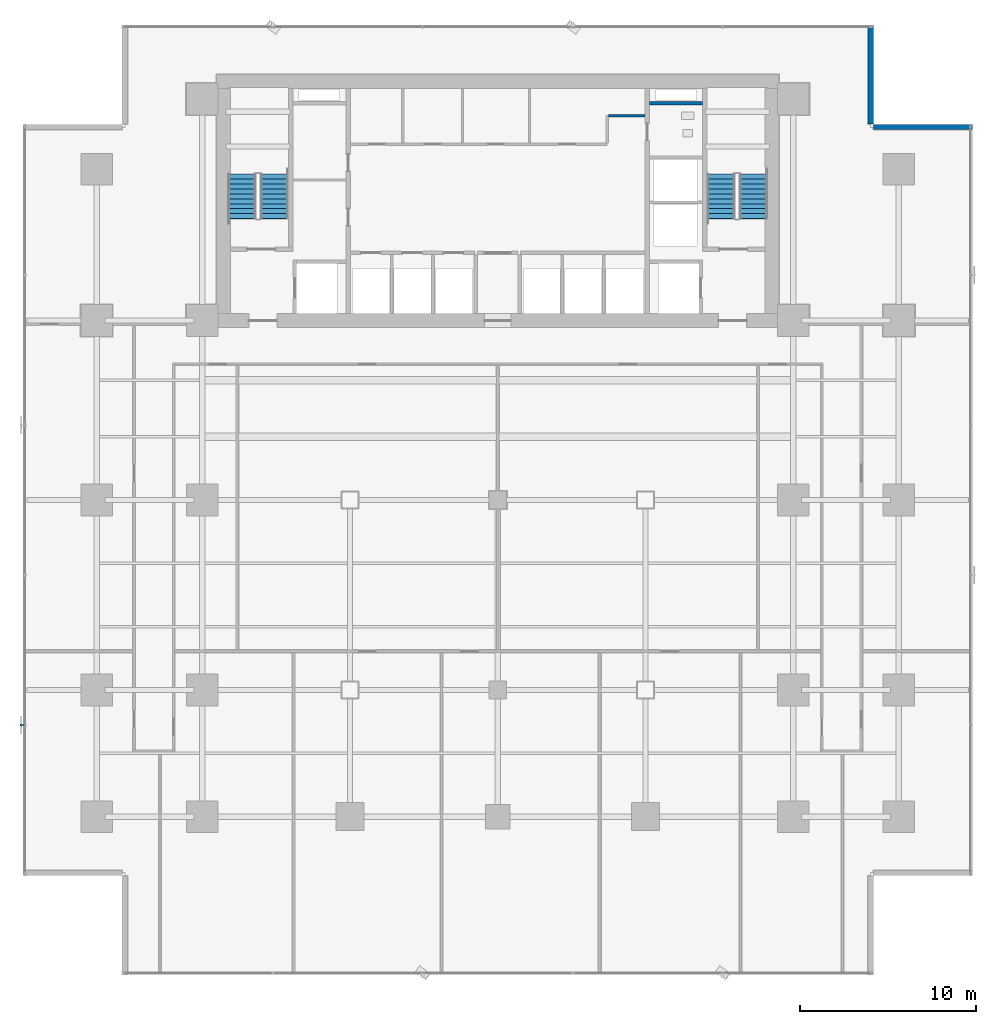
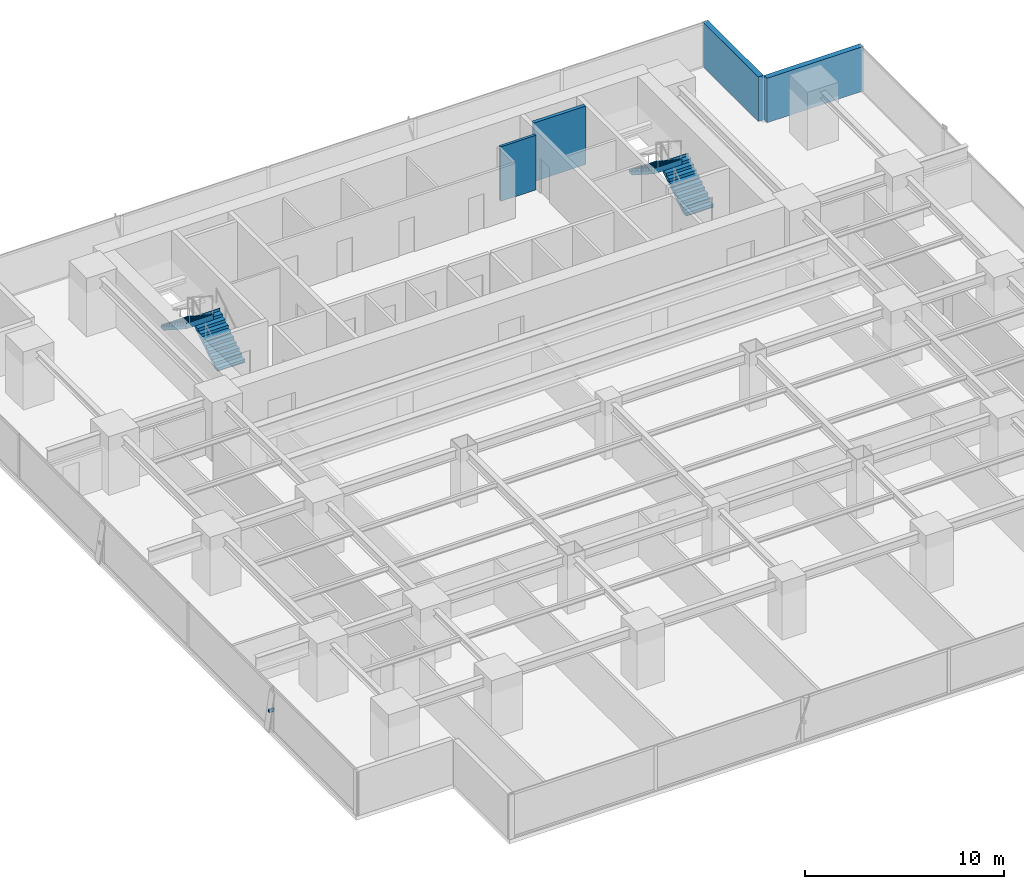
# One storey, part 27 of 34: 4 stair flights, 4 walls, 1 discrete accessory, 2 elements without a shape of their own.
"""IFC4 building model written with IfcOpenShell, lengths in metres."""

import ifcopenshell
import ifcopenshell.guid

model = None  # the IFC model being written
_history = None  # IfcOwnerHistory: only IFC2X3 demands one
_inside = {}  # id of a spatial element -> (the spatial element, [elements in it])
_under = {}  # id of a project, library or spatial element -> (it, [spatial elements below it])
_declared = {}  # id of a project -> (the project, [libraries it declares])
_typed = {}  # id of a type object -> (the type object, [elements of that type])
_made_of = {}  # id of a material, layer set ... -> (it, [elements and type objects made of it])


def new_model(schema):
    """Start an empty IFC model of exactly this schema.

    Asked for "IFC4X3", IfcOpenShell would pick the latest addendum, in which some entities
    have other attributes; the version numbers below select the first issue.
    IFC2X3 requires an IfcOwnerHistory on every rooted entity: one is made here for all.
    """
    global model, _history
    if schema == "IFC4X3":
        model = ifcopenshell.file(schema_version=(4, 3, 0, 0))
    else:
        model = ifcopenshell.file(schema=schema)
    _inside.clear()
    _under.clear()
    _declared.clear()
    _typed.clear()
    _made_of.clear()
    _history = None
    if model.schema == "IFC2X3":
        org = make("IfcOrganization", Name="unknown")
        user = make(
            "IfcPersonAndOrganization",
            ThePerson=make("IfcPerson", FamilyName="unknown"),
            TheOrganization=org,
        )
        app = make(
            "IfcApplication",
            ApplicationDeveloper=org,
            Version="unknown",
            ApplicationFullName="unknown",
            ApplicationIdentifier="unknown",
        )
        _history = make(
            "IfcOwnerHistory",
            OwningUser=user,
            OwningApplication=app,
            ChangeAction="ADDED",
            CreationDate=0,
        )
    return model


def make(cls, **values):
    """One entity of the class cls with the attributes given. An attribute that is None is left unset."""
    return model.create_entity(
        cls, **{name: value for name, value in values.items() if value is not None}
    )


def rooted(cls, **values):
    """An entity with a GlobalId (a new one), such as an element, a storey or a relation."""
    return make(cls, GlobalId=ifcopenshell.guid.new(), OwnerHistory=_history, **values)


def si_unit(unit_type, name, prefix=None):
    """IfcSIUnit, for example si_unit("LENGTHUNIT", "METRE", prefix="MILLI")."""
    return make("IfcSIUnit", UnitType=unit_type, Prefix=prefix, Name=name)


def assignment(units):
    """IfcUnitAssignment: the units of a project."""
    return None if units is None else make("IfcUnitAssignment", Units=units)


def point(xyz):
    """IfcCartesianPoint."""
    return None if xyz is None else make("IfcCartesianPoint", Coordinates=xyz)


def direction(xyz):
    """IfcDirection."""
    return None if xyz is None else make("IfcDirection", DirectionRatios=xyz)


def frame(location, z_axis=None, x_axis=None):
    """IfcAxis2Placement3D, a coordinate frame: its origin and axes. An axis left out is left unset."""
    return make(
        "IfcAxis2Placement3D",
        Location=point(location),
        Axis=direction(z_axis),
        RefDirection=direction(x_axis),
    )


def frame_2d(location, x_axis=None):
    """IfcAxis2Placement2D, a coordinate frame in the plane: its origin and x axis."""
    return make(
        "IfcAxis2Placement2D", Location=point(location), RefDirection=direction(x_axis)
    )


def origin():
    """The frame at (0, 0, 0) with its axes left unset."""
    return frame((0.0, 0.0, 0.0))


def origin_2d():
    """The frame at (0, 0) in the plane with its x axis left unset."""
    return frame_2d((0.0, 0.0))


def place(relative_to, where):
    """IfcLocalPlacement: puts the frame where relative to a parent placement (None: the world)."""
    return make(
        "IfcLocalPlacement", PlacementRelTo=relative_to, RelativePlacement=where
    )


def context(
    kind, dimensions, precision=None, world=None, true_north=None, identifier=None
):
    """IfcGeometricRepresentationContext, for example the 3D "Model" context."""
    return make(
        "IfcGeometricRepresentationContext",
        ContextIdentifier=identifier,
        ContextType=kind,
        CoordinateSpaceDimension=dimensions,
        Precision=precision,
        WorldCoordinateSystem=world,
        TrueNorth=true_north,
    )


def subcontext(parent, identifier, kind, view, scale=None):
    """IfcGeometricRepresentationSubContext, for example "Body" below "Model"."""
    return make(
        "IfcGeometricRepresentationSubContext",
        ContextIdentifier=identifier,
        ContextType=kind,
        ParentContext=parent,
        TargetScale=scale,
        TargetView=view,
    )


def project(units=None, contexts=None):
    """IfcProject with its units and contexts."""
    return rooted(
        "IfcProject",
        Name="project",
        RepresentationContexts=contexts,
        UnitsInContext=assignment(units),
    )


def spatial(cls, under=None, at=None, **own):
    """A site, building, storey or space (cls), placed at a placement, below another one or the project."""
    s = rooted(cls, ObjectPlacement=at, **own)
    if under is not None:
        _under.setdefault(under.id(), (under, []))[1].append(s)
    return s


def polyline(points):
    """IfcPolyline through the points."""
    return make("IfcPolyline", Points=[point(p) for p in points])


def profile(cls, at=None, kind="AREA", **sizes):
    """A parametric profile (cls). Its sizes go by their IFC names, for example OverallWidth=200.0."""
    return make(cls, ProfileType=kind, Position=at, **sizes)


def rectangle(**sizes):
    """IfcRectangleProfileDef."""
    return profile("IfcRectangleProfileDef", **sizes)


def outline(outer, holes=None, kind="AREA"):
    """IfcArbitraryClosedProfileDef: a profile drawn as a closed curve; with holes, ...WithVoids."""
    if holes is None:
        return make("IfcArbitraryClosedProfileDef", ProfileType=kind, OuterCurve=outer)
    return make(
        "IfcArbitraryProfileDefWithVoids",
        ProfileType=kind,
        OuterCurve=outer,
        InnerCurves=holes,
    )


def extrude(swept, where, along, depth):
    """IfcExtrudedAreaSolid: the profile swept, set in the frame where, extruded along a direction by depth."""
    return make(
        "IfcExtrudedAreaSolid",
        SweptArea=swept,
        Position=where,
        ExtrudedDirection=direction(along),
        Depth=depth,
    )


def shape(context_of_items, identifier, shape_type, items):
    """IfcShapeRepresentation: the items that make up one representation, for example the "Body"."""
    return make(
        "IfcShapeRepresentation",
        ContextOfItems=context_of_items,
        RepresentationIdentifier=identifier,
        RepresentationType=shape_type,
        Items=items,
    )


def source(mapping_origin, context_of_items, identifier, shape_type, items):
    """IfcRepresentationMap: a shape defined once, which mapped items show again and again."""
    return make(
        "IfcRepresentationMap",
        MappingOrigin=mapping_origin,
        MappedRepresentation=shape(context_of_items, identifier, shape_type, items),
    )


def transform(
    local_origin,
    x_axis=None,
    y_axis=None,
    z_axis=None,
    scale=None,
    scale2=None,
    scale3=None,
    uniform=True,
):
    """IfcCartesianTransformationOperator3D, or its non-uniform kind. x_axis, y_axis, z_axis: its Axis1, 2, 3."""
    if uniform:
        return make(
            "IfcCartesianTransformationOperator3D",
            Axis1=direction(x_axis),
            Axis2=direction(y_axis),
            LocalOrigin=point(local_origin),
            Scale=scale,
            Axis3=direction(z_axis),
        )
    return make(
        "IfcCartesianTransformationOperator3DnonUniform",
        Axis1=direction(x_axis),
        Axis2=direction(y_axis),
        LocalOrigin=point(local_origin),
        Scale=scale,
        Axis3=direction(z_axis),
        Scale2=scale2,
        Scale3=scale3,
    )


def mapped(mapping_source, mapping_target):
    """IfcMappedItem: shows the shape of a source again, moved by a transform."""
    return make(
        "IfcMappedItem", MappingSource=mapping_source, MappingTarget=mapping_target
    )


def material(Name=None, Category=None):
    """IfcMaterial."""
    return make("IfcMaterial", Name=Name, Category=Category)


def layer(
    of_material, thickness, ventilated=None, Name=None, Category=None, Priority=None
):
    """IfcMaterialLayer: one layer of a wall or slab, of a material (None: an air gap)."""
    return make(
        "IfcMaterialLayer",
        Material=of_material,
        LayerThickness=thickness,
        IsVentilated=ventilated,
        Name=Name,
        Category=Category,
        Priority=Priority,
    )


def layer_set(layers, Name=None):
    """IfcMaterialLayerSet."""
    return make("IfcMaterialLayerSet", MaterialLayers=layers, LayerSetName=Name)


def material_profile(
    of_material, cross_section, Name=None, Category=None, Priority=None
):
    """IfcMaterialProfile: a cross section and its material."""
    return make(
        "IfcMaterialProfile",
        Name=Name,
        Material=of_material,
        Profile=cross_section,
        Priority=Priority,
        Category=Category,
    )


def profile_set(profiles, Name=None, composite=None):
    """IfcMaterialProfileSet."""
    return make(
        "IfcMaterialProfileSet",
        Name=Name,
        MaterialProfiles=profiles,
        CompositeProfile=composite,
    )


def made_of(thing, what):
    """Note that an element or type object is made of a material, layer set ...; save() writes the relation."""
    if what is not None:
        _made_of.setdefault(what.id(), (what, []))[1].append(thing)
    return thing


def type_object(cls, material=None, **own):
    """A type object (cls), such as IfcWallType, which elements share."""
    return made_of(rooted(cls, **own), material)


def element(
    cls,
    number,
    at=None,
    inside=None,
    cuts=None,
    type_object=None,
    material=None,
    context=None,
    identifier="Body",
    shape_type=None,
    held_by="IfcProductDefinitionShape",
    body=None,
    shapes=None,
    **own,
):
    """One element of the class cls, such as IfcWall. Its Tag is "e" and its number.

    at: its placement. inside: the storey or other place that contains it. cuts: it is an
    opening in that element (IfcRelVoidsElement). A single representation is given by context,
    identifier, shape_type and body (its items); several are given by shapes. held_by: the class
    of the entity that holds the representations. save() writes the other relations.
    """
    e = rooted(cls, Tag="e%d" % number, ObjectPlacement=at, **own)
    if body is not None:
        shapes = [shape(context, identifier, shape_type, body)]
    if shapes is not None:
        e.Representation = make(held_by, Representations=shapes)
    if inside is not None:
        _inside.setdefault(inside.id(), (inside, []))[1].append(e)
    if cuts is not None:
        rooted(
            "IfcRelVoidsElement", RelatingBuildingElement=cuts, RelatedOpeningElement=e
        )
    if type_object is not None:
        _typed.setdefault(type_object.id(), (type_object, []))[1].append(e)
    return made_of(e, material)


def aggregate(whole, parts):
    """IfcRelAggregates: a whole, such as a stair, and the parts it consists of."""
    return rooted("IfcRelAggregates", RelatingObject=whole, RelatedObjects=parts)


def save(model, path):
    """Write the relations noted so far, then the file.

    IfcRelAggregates (storeys below a building ...), IfcRelContainedInSpatialStructure (elements
    in a storey), IfcRelDefinesByType, IfcRelAssociatesMaterial and IfcRelDeclares: one each for
    every whole, place, type object, material and project.
    """
    for whole, parts in _under.values():
        aggregate(whole, parts)
    for where, things in _inside.values():
        rooted(
            "IfcRelContainedInSpatialStructure",
            RelatedElements=things,
            RelatingStructure=where,
        )
    for kind, things in _typed.values():
        rooted("IfcRelDefinesByType", RelatedObjects=things, RelatingType=kind)
    for what, things in _made_of.values():
        rooted("IfcRelAssociatesMaterial", RelatedObjects=things, RelatingMaterial=what)
    for by, libraries in _declared.values():
        rooted("IfcRelDeclares", RelatingContext=by, RelatedDefinitions=libraries)
    model.write(path)


model = new_model("IFC4")

# Units and contexts
model_context = context("Model", 3, precision=1e-05, world=origin(), true_north=direction((0.0, 1.0)))
body_context = subcontext(model_context, "Body", "Model", "MODEL_VIEW")
ifc_project = project(units=[si_unit("LENGTHUNIT", "METRE"), si_unit("AREAUNIT", "SQUARE_METRE"), si_unit("VOLUMEUNIT", "CUBIC_METRE"), si_unit("PLANEANGLEUNIT", "RADIAN"), si_unit("MASSUNIT", "GRAM", prefix="KILO")], contexts=[model_context])

# Site, building, storey
site_placement = place(None, origin())
site = spatial("IfcSite", under=ifc_project, at=site_placement, CompositionType="ELEMENT")
building_placement = place(site_placement, origin())
building = spatial("IfcBuilding", under=site, at=building_placement, Name="Sumidabori Civic Tower", CompositionType="ELEMENT")
storey_placement = place(building_placement, frame((0.0, 0.0, 34.39990234375)))
storey = spatial("IfcBuildingStorey", under=building, at=storey_placement, Name="L08", CompositionType="ELEMENT", Elevation=34.39990234375)

# Walls
ifc_material_1 = material(Name="Concrete C50/60", Category="concrete")
ifc_layer_1 = layer(ifc_material_1, 0.199951171875, Name="Concrete C50/60")
ifc_layer_set_1 = layer_set([ifc_layer_1], Name="Concrete C50/60")
wall_type_1 = type_object("IfcWallType", Name="WL-SHAFT-200", PredefinedType="SHEAR", material=ifc_layer_set_1)
shared_shape_1 = source(origin(), body_context, "Body", "SweptSolid", [
    extrude(rectangle(XDim=3.02001953125, YDim=0.199951171875, at=frame_2d((1.510009765625, 0.0))), origin(), (0.0, 0.0, 1.0), 3.60009765625),
])
wall_1_placement = place(storey_placement, frame((8.625, 22.550048828125, 0.0), z_axis=(0.0, 0.0, 1.0), x_axis=(1.0, 0.0, 0.0)))
element("IfcWall", 1, at=wall_1_placement, inside=storey, type_object=wall_type_1, Name="Core Shear Wall L08 RIS2-S", PredefinedType="SHEAR", context=body_context, shape_type="MappedRepresentation", body=[
    mapped(shared_shape_1, transform((0.0, 0.0, 0.0), x_axis=(1.0, 0.0, 0.0), y_axis=(0.0, 1.0, 0.0), z_axis=(0.0, 0.0, 1.0), scale=1.0)),
])
ifc_material_2 = material(Name="Precast concrete C40/50", Category="concrete")
ifc_layer_2 = layer(ifc_material_2, 0.300048828125, Name="Precast concrete C40/50")
ifc_layer_set_2 = layer_set([ifc_layer_2], Name="Precast concrete C40/50")
wall_type_2 = type_object("IfcWallType", Name="WL-EXT-POD300", PredefinedType="STANDARD", material=ifc_layer_set_2)
shared_shape_2 = source(origin(), body_context, "Body", "SweptSolid", [
    extrude(rectangle(XDim=5.60986328125, YDim=0.300048828125, at=frame_2d((2.804931640625, 0.0))), origin(), (0.0, 0.0, 1.0), 2.739990234375),
])
for number, where, z_axis, x_axis, name in (
    (2, (26.97998046875, 21.199951171875, 0.0), (0.0, 0.0, 1.0), (-1.0, 0.0, 0.0), "Notched Corner Spandrel Band L08-05"),
    (3, (21.199951171875, 21.3701171875, 0.0), (0.0, 0.0, 1.0), (0.0, 1.0, 0.0), "Notched Corner Spandrel Band L08-06"),
):
    element("IfcWall", number, at=place(storey_placement, frame(where, z_axis=z_axis, x_axis=x_axis)), inside=storey, type_object=wall_type_2, Name=name, PredefinedType="STANDARD", context=body_context, shape_type="MappedRepresentation", body=[
        mapped(shared_shape_2, transform((0.0, 0.0, 0.0), x_axis=(1.0, 0.0, 0.0), y_axis=(0.0, 1.0, 0.0), z_axis=(0.0, 0.0, 1.0), scale=1.0)),
    ])
ifc_material_3 = material(Name="Gypsum Plasterboard Acoustic Partition")
ifc_layer_3 = layer(ifc_material_3, 0.14990234375, Name="Gypsum Plasterboard Acoustic Partition")
ifc_layer_set_3 = layer_set([ifc_layer_3], Name="Gypsum Plasterboard Acoustic Partition")
wall_type_3 = type_object("IfcWallType", Name="WL-PART-150", PredefinedType="PARTITIONING", material=ifc_layer_set_3)
shared_shape_3 = source(origin(), body_context, "Body", "SweptSolid", [
    extrude(rectangle(XDim=2.070068359375, YDim=0.14990234375, at=frame_2d((1.03515625, 0.0))), origin(), (0.0, 0.0, 1.0), 3.360107421875),
])
wall_2_placement = place(storey_placement, frame((6.300048828125, 21.85009765625, 0.0), z_axis=(0.0, 0.0, 1.0), x_axis=(1.0, 0.0, 0.0)))
element("IfcWall", 4, at=wall_2_placement, inside=storey, type_object=wall_type_3, Name="Interior Partition WL:L08:CBAND-ME2", PredefinedType="PARTITIONING", context=body_context, shape_type="MappedRepresentation", body=[
    mapped(shared_shape_3, transform((0.0, 0.0, 0.0), x_axis=(1.0, 0.0, 0.0), y_axis=(0.0, 1.0, 0.0), z_axis=(0.0, 0.0, 1.0), scale=1.0)),
])

# Stair, stair flights
ifc_material_4 = material(Name="Concrete C40/50", Category="concrete")
stair_type = type_object("IfcStairType", Name="ST-CORE-1600", PredefinedType="HALF_TURN_STAIR", material=ifc_material_4)
stair_1_placement = place(storey_placement, origin())
stair_1 = element("IfcStair", 5, at=stair_1_placement, inside=storey, type_object=stair_type, Name="L08 ST-1", PredefinedType="HALF_TURN_STAIR")
stair_flight_type = type_object("IfcStairFlightType", Name="SF-CORE-1600", PredefinedType="STRAIGHT", material=ifc_material_4)
shared_shape_4 = source(origin(), body_context, "Body", "SweptSolid", [
    extrude(outline(polyline([(-0.02490234375, 0.0), (-0.02490234375, 0.0400390625), (0.0, 0.0400390625), (0.0, 0.179931640625), (0.280029296875, 0.179931640625), (0.280029296875, 0.360107421875), (0.56005859375, 0.360107421875), (0.56005859375, 0.5400390625), (0.840087890625, 0.5400390625), (0.840087890625, 0.719970703125), (1.1201171875, 0.719970703125), (1.1201171875, 0.89990234375), (1.39990234375, 0.89990234375), (1.39990234375, 1.080078125), (1.679931640625, 1.080078125), (1.679931640625, 1.260009765625), (1.9599609375, 1.260009765625), (1.9599609375, 1.43994140625), (2.239990234375, 1.43994140625), (2.239990234375, 1.6201171875), (2.52001953125, 1.6201171875), (2.52001953125, 1.800048828125), (2.544921875, 1.800048828125), (2.544921875, 1.650146484375), (2.52001953125, 1.44189453125), (0.277099609375, 0.0), (-0.02490234375, 0.0)])), frame((0.0, 0.800048828125, 0.0), z_axis=(0.0, -1.0, 0.0), x_axis=(1.0, 0.0, 0.0)), (0.0, 0.0, 1.0), 1.60009765625),
])
stair_flight_1_placement = place(storey_placement, frame((-12.699951171875, 16.0, 0.0), z_axis=(0.0, 0.0, 1.0), x_axis=(0.0, 1.0, 0.0)))
stair_flight_1 = element("IfcStairFlight", 6, at=stair_flight_1_placement, type_object=stair_flight_type, Name="ST-1 flight 1", NumberOfRisers=10, NumberOfTreads=9, PredefinedType="STRAIGHT", RiserHeight=0.18, TreadLength=0.28, context=body_context, shape_type="MappedRepresentation", body=[
    mapped(shared_shape_4, transform((0.0, 0.0, 0.0), x_axis=(1.0, 0.0, 0.0), y_axis=(0.0, 1.0, 0.0), z_axis=(0.0, 0.0, 1.0), scale=1.0)),
])
stair_flight_2_placement = place(storey_placement, frame((-14.5400390625, 18.52001953125, 1.800048828125), z_axis=(0.0, 0.0, 1.0), x_axis=(0.0, -1.0, 0.0)))
stair_flight_2 = element("IfcStairFlight", 7, at=stair_flight_2_placement, type_object=stair_flight_type, Name="ST-1 flight 2", NumberOfRisers=10, NumberOfTreads=9, PredefinedType="STRAIGHT", RiserHeight=0.18, TreadLength=0.28, context=body_context, shape_type="MappedRepresentation", body=[
    mapped(shared_shape_4, transform((0.0, 0.0, 0.0), x_axis=(1.0, 0.0, 0.0), y_axis=(0.0, 1.0, 0.0), z_axis=(0.0, 0.0, 1.0), scale=1.0)),
])
aggregate(stair_1, [stair_flight_1, stair_flight_2])

stair_2_placement = place(storey_placement, origin())
stair_2 = element("IfcStair", 8, at=stair_2_placement, inside=storey, type_object=stair_type, Name="L08 ST-2", PredefinedType="HALF_TURN_STAIR")
stair_flight_3_placement = place(storey_placement, frame((14.5400390625, 16.0, 0.0), z_axis=(0.0, 0.0, 1.0), x_axis=(0.0, 1.0, 0.0)))
stair_flight_3 = element("IfcStairFlight", 9, at=stair_flight_3_placement, type_object=stair_flight_type, Name="ST-2 flight 1", NumberOfRisers=10, NumberOfTreads=9, PredefinedType="STRAIGHT", RiserHeight=0.18, TreadLength=0.28, context=body_context, shape_type="MappedRepresentation", body=[
    mapped(shared_shape_4, transform((0.0, 0.0, 0.0), x_axis=(1.0, 0.0, 0.0), y_axis=(0.0, 1.0, 0.0), z_axis=(0.0, 0.0, 1.0), scale=1.0)),
])
stair_flight_4_placement = place(storey_placement, frame((12.699951171875, 18.52001953125, 1.800048828125), z_axis=(0.0, 0.0, 1.0), x_axis=(0.0, -1.0, 0.0)))
stair_flight_4 = element("IfcStairFlight", 10, at=stair_flight_4_placement, type_object=stair_flight_type, Name="ST-2 flight 2", NumberOfRisers=10, NumberOfTreads=9, PredefinedType="STRAIGHT", RiserHeight=0.18, TreadLength=0.28, context=body_context, shape_type="MappedRepresentation", body=[
    mapped(shared_shape_4, transform((0.0, 0.0, 0.0), x_axis=(1.0, 0.0, 0.0), y_axis=(0.0, 1.0, 0.0), z_axis=(0.0, 0.0, 1.0), scale=1.0)),
])
aggregate(stair_2, [stair_flight_3, stair_flight_4])

# Discrete accessory
ifc_material_5 = material(Name="Stainless Steel Hairline Finish", Category="steel")
ifc_material_profile = material_profile(ifc_material_5, rectangle(XDim=0.1201171875, YDim=0.179931640625, at=origin_2d()), Name="STEEL BRACKET 180x120")
ifc_profile_set = profile_set([ifc_material_profile], Name="Stainless Steel Hairline Finish")
discrete_accessory_type = type_object("IfcDiscreteAccessoryType", Name="AC-BRK-180", PredefinedType="BRACKET", material=ifc_profile_set)
shared_shape_5 = source(origin(), body_context, "Body", "SweptSolid", [
    extrude(rectangle(XDim=0.1201171875, YDim=0.179931640625, at=origin_2d()), origin(), (0.0, 0.0, 1.0), 0.329833984375),
])
discrete_accessory_placement = place(storey_placement, frame((-26.830078125, -12.7919921875, 1.360107421875), z_axis=(-1.0, 0.0, 0.0), x_axis=(0.0, -1.0, 0.0)))
element("IfcDiscreteAccessory", 11, at=discrete_accessory_placement, inside=storey, type_object=discrete_accessory_type, Name="Bronze Fin Fixing Bracket L08-04", PredefinedType="BRACKET", context=body_context, shape_type="MappedRepresentation", body=[
    mapped(shared_shape_5, transform((0.0, 0.0, 0.0), x_axis=(1.0, 0.0, 0.0), y_axis=(0.0, 1.0, 0.0), z_axis=(0.0, 0.0, 1.0), scale=1.0)),
])

save(model, "model.ifc")
